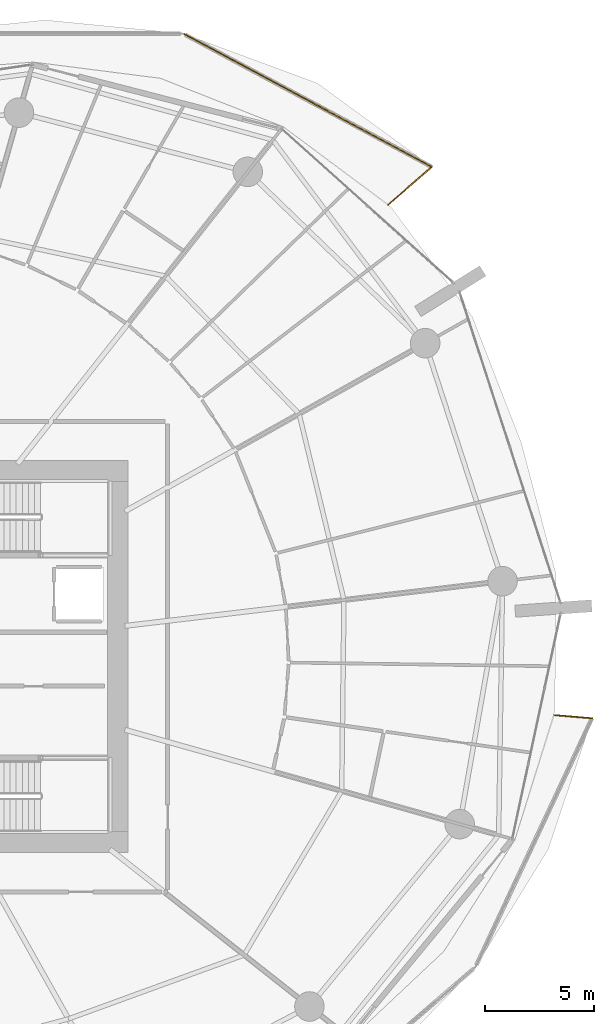
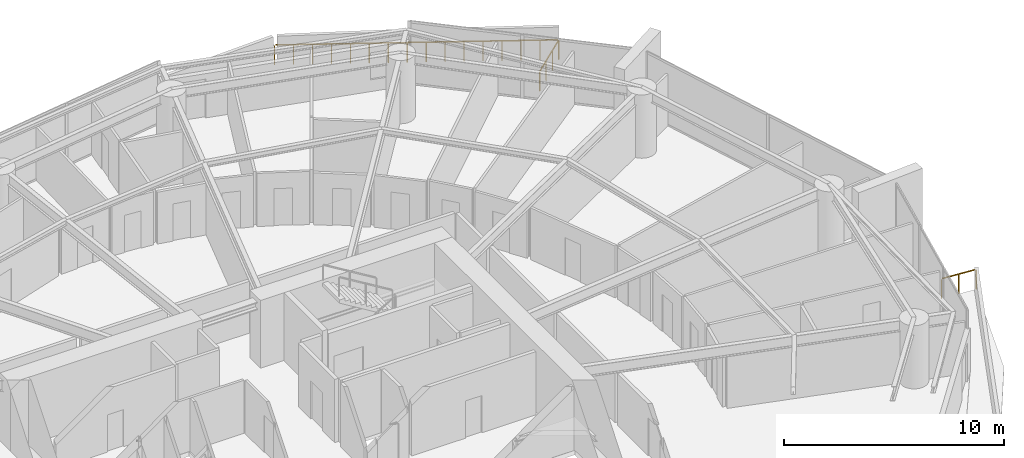
# One storey, part 31 of 31: 3 railings.
"""IFC4 building model written with IfcOpenShell, lengths in metres."""

from ifc_helpers import new_model, si_unit, direction, frame, origin, origin_2d, place, context, subcontext, project, spatial, rectangle, extrude, material, type_object, element, save


model = new_model("IFC4")

# Units and contexts
model_context = context("Model", 3, precision=1e-05, world=origin(), true_north=direction((0.0, 1.0)))
body_context = subcontext(model_context, "Body", "Model", "MODEL_VIEW")
ifc_project = project(units=[si_unit("LENGTHUNIT", "METRE"), si_unit("AREAUNIT", "SQUARE_METRE"), si_unit("VOLUMEUNIT", "CUBIC_METRE"), si_unit("PLANEANGLEUNIT", "RADIAN"), si_unit("MASSUNIT", "GRAM", prefix="KILO")], contexts=[model_context])

# Site, building, storey
site_placement = place(None, origin())
site = spatial("IfcSite", under=ifc_project, at=site_placement, CompositionType="ELEMENT")
building_placement = place(site_placement, origin())
building = spatial("IfcBuilding", under=site, at=building_placement, Name="Kazma Halo Residences", CompositionType="ELEMENT")
storey_placement = place(building_placement, frame((0.0, 0.0, 45.14990234375)))
storey = spatial("IfcBuildingStorey", under=building, at=storey_placement, Name="L10", CompositionType="ELEMENT", Elevation=45.14990234375)

# Railings
ifc_material = material(Name="Aluminium AW-6063 T6 Brushed Cap Rail", Category="aluminium")
railing_type = type_object("IfcRailingType", Name="RLG-BAL-CAP-1120", PredefinedType="BALUSTRADE", material=ifc_material)
railing_1_placement = place(storey_placement, frame((71.875732421875, 62.645263671875, 0.0)))
element("IfcRailing", 1, at=railing_1_placement, inside=storey, type_object=railing_type, Name="L10 NE wave balcony guard 1", PredefinedType="BALUSTRADE", context=body_context, shape_type="SweptSolid", body=[
    extrude(rectangle(XDim=0.050048828125, YDim=0.050048828125, at=origin_2d()), frame((0.0322265625, 0.02783203125, 1.09521484375), z_axis=(0.756365644191, 0.654149074973, 0.0), x_axis=(-0.654149074973, 0.756365644191, 0.0)), (0.0, 0.0, 1.0), 2.556640625),
    extrude(rectangle(XDim=0.0400390625, YDim=0.0400390625, at=origin_2d()), origin(), (0.0, 0.0, 1.0), 1.05810546875),
    extrude(rectangle(XDim=0.0400390625, YDim=0.0400390625, at=origin_2d()), frame((0.666015625, 0.575927734375, 0.0)), (0.0, 0.0, 1.0), 1.05810546875),
    extrude(rectangle(XDim=0.0400390625, YDim=0.0400390625, at=origin_2d()), frame((1.33203125, 1.152099609375, 0.0)), (0.0, 0.0, 1.0), 1.05810546875),
    extrude(rectangle(XDim=0.0400390625, YDim=0.0400390625, at=origin_2d()), frame((1.998046875, 1.72802734375, 0.0)), (0.0, 0.0, 1.0), 1.05810546875),
])
railing_2_placement = place(storey_placement, frame((73.873779296875, 64.373291015625, 0.0)))
element("IfcRailing", 2, at=railing_2_placement, inside=storey, type_object=railing_type, Name="L10 NE wave balcony guard 2", PredefinedType="BALUSTRADE", context=body_context, shape_type="SweptSolid", body=[
    extrude(rectangle(XDim=0.050048828125, YDim=0.050048828125, at=origin_2d()), frame((-0.03759765625, 0.02001953125, 1.09521484375), z_axis=(-0.881390761271, 0.472387897755, 0.0), x_axis=(-0.472387897755, -0.881390761271, 0.0)), (0.0, 0.0, 1.0), 12.814208984375),
    extrude(rectangle(XDim=0.0400390625, YDim=0.0400390625, at=origin_2d()), origin(), (0.0, 0.0, 1.0), 1.05810546875),
    extrude(rectangle(XDim=0.0400390625, YDim=0.0400390625, at=origin_2d()), frame((-0.758056640625, 0.40625, 0.0)), (0.0, 0.0, 1.0), 1.05810546875),
    extrude(rectangle(XDim=0.0400390625, YDim=0.0400390625, at=origin_2d()), frame((-1.515869140625, 0.8125, 0.0)), (0.0, 0.0, 1.0), 1.05810546875),
    extrude(rectangle(XDim=0.0400390625, YDim=0.0400390625, at=origin_2d()), frame((-2.27392578125, 1.21875, 0.0)), (0.0, 0.0, 1.0), 1.05810546875),
    extrude(rectangle(XDim=0.0400390625, YDim=0.0400390625, at=origin_2d()), frame((-3.03173828125, 1.625, 0.0)), (0.0, 0.0, 1.0), 1.05810546875),
    extrude(rectangle(XDim=0.0400390625, YDim=0.0400390625, at=origin_2d()), frame((-3.789794921875, 2.03125, 0.0)), (0.0, 0.0, 1.0), 1.05810546875),
    extrude(rectangle(XDim=0.0400390625, YDim=0.0400390625, at=origin_2d()), frame((-4.5478515625, 2.4375, 0.0)), (0.0, 0.0, 1.0), 1.05810546875),
    extrude(rectangle(XDim=0.0400390625, YDim=0.0400390625, at=origin_2d()), frame((-5.3056640625, 2.84375, 0.0)), (0.0, 0.0, 1.0), 1.05810546875),
    extrude(rectangle(XDim=0.0400390625, YDim=0.0400390625, at=origin_2d()), frame((-6.063720703125, 3.249755859375, 0.0)), (0.0, 0.0, 1.0), 1.05810546875),
    extrude(rectangle(XDim=0.0400390625, YDim=0.0400390625, at=origin_2d()), frame((-6.821533203125, 3.656005859375, 0.0)), (0.0, 0.0, 1.0), 1.05810546875),
    extrude(rectangle(XDim=0.0400390625, YDim=0.0400390625, at=origin_2d()), frame((-7.57958984375, 4.062255859375, 0.0)), (0.0, 0.0, 1.0), 1.05810546875),
    extrude(rectangle(XDim=0.0400390625, YDim=0.0400390625, at=origin_2d()), frame((-8.337646484375, 4.468505859375, 0.0)), (0.0, 0.0, 1.0), 1.05810546875),
    extrude(rectangle(XDim=0.0400390625, YDim=0.0400390625, at=origin_2d()), frame((-9.095458984375, 4.874755859375, 0.0)), (0.0, 0.0, 1.0), 1.05810546875),
    extrude(rectangle(XDim=0.0400390625, YDim=0.0400390625, at=origin_2d()), frame((-9.853515625, 5.281005859375, 0.0)), (0.0, 0.0, 1.0), 1.05810546875),
    extrude(rectangle(XDim=0.0400390625, YDim=0.0400390625, at=origin_2d()), frame((-10.611328125, 5.687255859375, 0.0)), (0.0, 0.0, 1.0), 1.05810546875),
    extrude(rectangle(XDim=0.0400390625, YDim=0.0400390625, at=origin_2d()), frame((-11.369384765625, 6.093505859375, 0.0)), (0.0, 0.0, 1.0), 1.05810546875),
])
railing_3_placement = place(storey_placement, frame((81.19189453125, 39.18359375, 0.0)))
element("IfcRailing", 3, at=railing_3_placement, inside=storey, type_object=railing_type, Name="L10 SE wave balcony guard 4", PredefinedType="BALUSTRADE", context=body_context, shape_type="SweptSolid", body=[
    extrude(rectangle(XDim=0.050048828125, YDim=0.050048828125, at=origin_2d()), frame((-0.04248046875, 0.003662109375, 1.09521484375), z_axis=(-0.996421327886, 0.084525365027, 0.0), x_axis=(-0.084525365027, -0.996421327886, 0.0)), (0.0, 0.0, 1.0), 1.662353515625),
    extrude(rectangle(XDim=0.0400390625, YDim=0.0400390625, at=origin_2d()), origin(), (0.0, 0.0, 1.0), 1.05810546875),
    extrude(rectangle(XDim=0.0400390625, YDim=0.0400390625, at=origin_2d()), frame((-0.87060546875, 0.07373046875, 0.0)), (0.0, 0.0, 1.0), 1.05810546875),
    extrude(rectangle(XDim=0.0400390625, YDim=0.0400390625, at=origin_2d()), frame((-1.7412109375, 0.147705078125, 0.0)), (0.0, 0.0, 1.0), 1.05810546875),
])

save(model, "model.ifc")
